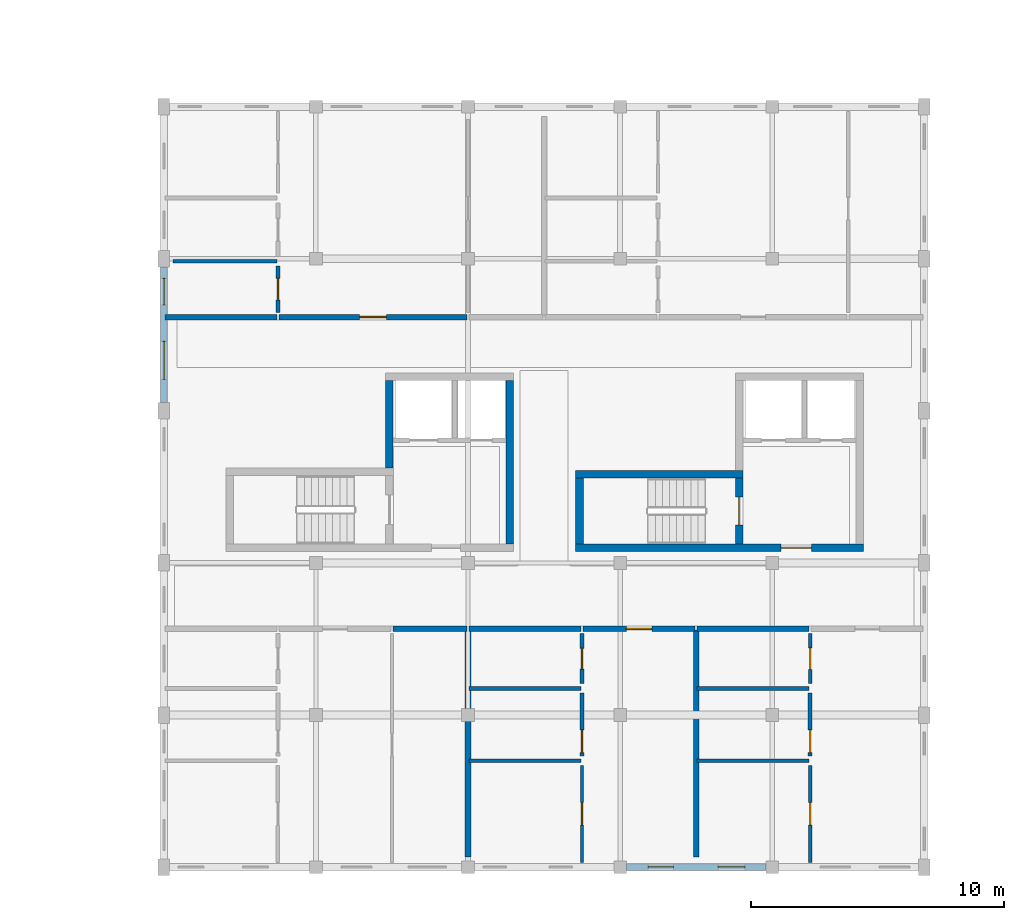
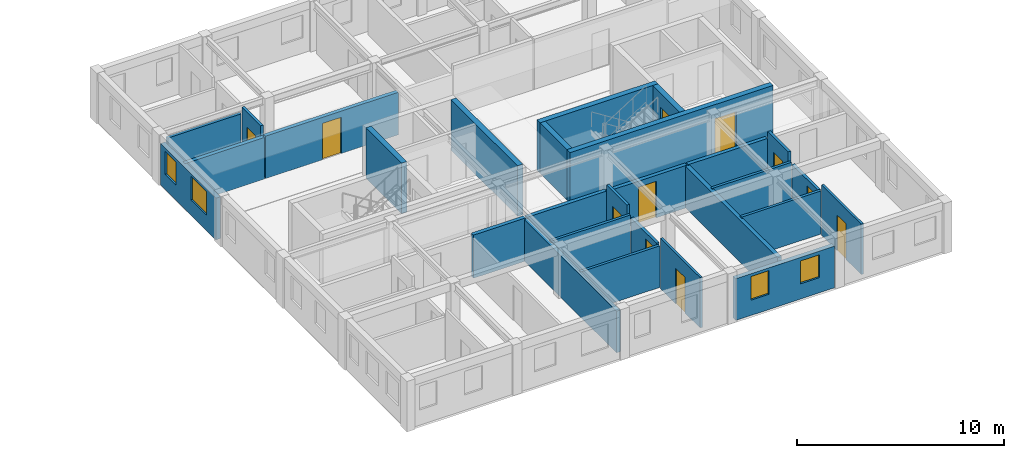
# One storey, part 10 of 23: 28 walls, 11 doors, 4 windows, 15 openings.
"""IFC4 building model written with IfcOpenShell, lengths in metres."""

from ifc_helpers import new_model, si_unit, direction, frame, frame_2d, origin, place, context, subcontext, project, spatial, rectangle, extrude, material, layer, layer_set, type_object, element, fill, save


model = new_model("IFC4")

# Units and contexts
model_context = context("Model", 3, precision=1e-05, world=origin(), true_north=direction((0.0, 1.0)))
body_context = subcontext(model_context, "Body", "Model", "MODEL_VIEW")
ifc_project = project(units=[si_unit("LENGTHUNIT", "METRE"), si_unit("AREAUNIT", "SQUARE_METRE"), si_unit("VOLUMEUNIT", "CUBIC_METRE"), si_unit("PLANEANGLEUNIT", "RADIAN"), si_unit("MASSUNIT", "GRAM", prefix="KILO"), si_unit("POWERUNIT", "WATT"), si_unit("THERMODYNAMICTEMPERATUREUNIT", "KELVIN")], contexts=[model_context])

# Site, building, storey
site_placement = place(None, origin())
site = spatial("IfcSite", under=ifc_project, at=site_placement, CompositionType="ELEMENT")
building_placement = place(site_placement, origin())
building = spatial("IfcBuilding", under=site, at=building_placement, Name="Ruvembo Vaulted Housing Court", CompositionType="ELEMENT")
storey_placement = place(building_placement, frame((0.0, 0.0, 26.89990234375)))
storey = spatial("IfcBuildingStorey", under=building, at=storey_placement, Name="L08", CompositionType="ELEMENT", Elevation=26.89990234375)

# Walls
ifc_material_1 = material(Name="Concrete C35/45", Category="concrete")
ifc_layer_1 = layer(ifc_material_1, 0.300048828125, Name="Concrete C35/45")
ifc_layer_set_1 = layer_set([ifc_layer_1], Name="Concrete C35/45")
wall_type_1 = type_object("IfcWallType", Name="WL-CORE-300", PredefinedType="SHEAR", material=ifc_layer_set_1)
wall_1_placement = place(storey_placement, frame((115.64990234375, 12.75, 0.0), z_axis=(0.0, 0.0, 1.0), x_axis=(0.0, 1.0, 0.0)))
element("IfcWall", 1, at=wall_1_placement, inside=storey, type_object=wall_type_1, Name="Core C1 L08 East Shear Wall", PredefinedType="SHEAR", context=body_context, shape_type="SweptSolid", body=[
    extrude(rectangle(XDim=6.449951171875, YDim=0.300048828125, at=frame_2d((3.22509765625, 0.0))), origin(), (0.0, 0.0, 1.0), 2.97998046875),
])
wall_2_placement = place(storey_placement, frame((110.89990234375, 15.75, 0.0), z_axis=(0.0, 0.0, 1.0), x_axis=(0.0, 1.0, 0.0)))
element("IfcWall", 2, at=wall_2_placement, inside=storey, type_object=wall_type_1, Name="Core C1 L08 Upper West Shear Wall", PredefinedType="SHEAR", context=body_context, shape_type="SweptSolid", body=[
    extrude(rectangle(XDim=3.449951171875, YDim=0.300048828125, at=frame_2d((1.72509765625, 0.0))), origin(), (0.0, 0.0, 1.0), 2.97998046875),
])

# Wall, opening, door
wall_3_placement = place(storey_placement, frame((118.25, 12.60009765625, 0.0), z_axis=(0.0, 0.0, 1.0), x_axis=(1.0, 0.0, 0.0)))
wall_3 = element("IfcWall", 3, at=wall_3_placement, inside=storey, type_object=wall_type_1, Name="Core C2 L08 South Shear Wall", PredefinedType="SHEAR", context=body_context, shape_type="SweptSolid", body=[
    extrude(rectangle(XDim=11.35009765625, YDim=0.300048828125, at=frame_2d((5.675048828125, 0.0))), origin(), (0.0, 0.0, 1.0), 2.97998046875),
])
opening_1_placement = place(wall_3_placement, frame((8.10009765625, 0.0, 0.0)))
opening_1 = element("IfcOpeningElement", 4, at=opening_1_placement, cuts=wall_3, Name="Opening LD3", PredefinedType="OPENING", context=body_context, shape_type="SweptSolid", body=[
    extrude(rectangle(XDim=1.199951171875, YDim=2.14990234375, at=frame_2d((0.60009765625, 1.074951171875))), frame((0.0, 0.159912109375, 0.0), z_axis=(0.0, -1.0, 0.0), x_axis=(1.0, 0.0, 0.0)), (0.0, 0.0, 1.0), 0.320068359375),
])
ifc_material_2 = material(Name="Galvanised Painted Steel", Category="steel")
door_type_1 = type_object("IfcDoorType", Name="DR-LOB-1200x2150", OperationType="NOTDEFINED", PredefinedType="DOOR", material=ifc_material_2)
door_1_placement = place(opening_1_placement, origin())
door_1 = element("IfcDoor", 5, at=door_1_placement, inside=storey, type_object=door_type_1, Name="Core C2 L08 Lobby Fire Door", OperationType="SINGLE_SWING_LEFT", OverallHeight=2.14990234375, OverallWidth=1.199951171875, PredefinedType="DOOR", context=body_context, shape_type="SweptSolid", body=[
    extrude(rectangle(XDim=1.199951171875, YDim=2.14990234375, at=frame_2d((0.60009765625, 1.074951171875))), frame((0.0, 0.02490234375, 0.0), z_axis=(0.0, -1.0, 0.0), x_axis=(1.0, 0.0, 0.0)), (0.0, 0.0, 1.0), 0.050048828125),
])
fill(opening_1, door_1)

# Walls
wall_4_placement = place(storey_placement, frame((124.85009765625, 15.5, 0.0), z_axis=(0.0, 0.0, 1.0), x_axis=(-1.0, 0.0, 0.0)))
element("IfcWall", 6, at=wall_4_placement, inside=storey, type_object=wall_type_1, Name="Core C2 L08 Stair North Shear Wall", PredefinedType="SHEAR", context=body_context, shape_type="SweptSolid", body=[
    extrude(rectangle(XDim=6.60009765625, YDim=0.300048828125, at=frame_2d((3.300048828125, 0.0))), origin(), (0.0, 0.0, 1.0), 2.97998046875),
])
wall_5_placement = place(storey_placement, frame((118.39990234375, 15.35009765625, 0.0), z_axis=(0.0, 0.0, 1.0), x_axis=(0.0, -1.0, 0.0)))
element("IfcWall", 7, at=wall_5_placement, inside=storey, type_object=wall_type_1, Name="Core C2 L08 Stair West Shear Wall", PredefinedType="SHEAR", context=body_context, shape_type="SweptSolid", body=[
    extrude(rectangle(XDim=2.60009765625, YDim=0.300048828125, at=frame_2d((1.300048828125, 0.0))), origin(), (0.0, 0.0, 1.0), 2.97998046875),
])

# Wall, opening, door
wall_6_placement = place(storey_placement, frame((124.699951171875, 12.75, 0.0), z_axis=(0.0, 0.0, 1.0), x_axis=(0.0, 1.0, 0.0)))
wall_6 = element("IfcWall", 8, at=wall_6_placement, inside=storey, type_object=wall_type_1, Name="Core C2 L08 Stair-Lobby Shear Wall", PredefinedType="SHEAR", context=body_context, shape_type="SweptSolid", body=[
    extrude(rectangle(XDim=2.60009765625, YDim=0.300048828125, at=frame_2d((1.300048828125, 0.0))), origin(), (0.0, 0.0, 1.0), 2.97998046875),
])
opening_2_placement = place(wall_6_placement, frame((0.75, 0.0, 0.0)))
opening_2 = element("IfcOpeningElement", 9, at=opening_2_placement, cuts=wall_6, Name="Opening SD2", PredefinedType="OPENING", context=body_context, shape_type="SweptSolid", body=[
    extrude(rectangle(XDim=1.10009765625, YDim=2.14990234375, at=frame_2d((0.550048828125, 1.074951171875))), frame((0.0, 0.159912109375, 0.0), z_axis=(0.0, -1.0, 0.0), x_axis=(1.0, 0.0, 0.0)), (0.0, 0.0, 1.0), 0.320068359375),
])
door_type_2 = type_object("IfcDoorType", Name="DR-STAIR-1100x2150", OperationType="NOTDEFINED", PredefinedType="DOOR", material=ifc_material_2)
door_2_placement = place(opening_2_placement, origin())
door_2 = element("IfcDoor", 10, at=door_2_placement, inside=storey, type_object=door_type_2, Name="Stair ST-C2 L08 Fire Door", OperationType="SINGLE_SWING_RIGHT", OverallHeight=2.14990234375, OverallWidth=1.10009765625, PredefinedType="DOOR", context=body_context, shape_type="SweptSolid", body=[
    extrude(rectangle(XDim=1.10009765625, YDim=2.14990234375, at=frame_2d((0.550048828125, 1.074951171875))), frame((0.0, 0.02490234375, 0.0), z_axis=(0.0, -1.0, 0.0), x_axis=(1.0, 0.0, 0.0)), (0.0, 0.0, 1.0), 0.050048828125),
])
fill(opening_2, door_2)

# Walls
ifc_material_3 = material(Name="Concrete Blockwork 210", Category="masonry")
ifc_layer_2 = layer(ifc_material_3, 0.2099609375, Name="Concrete Blockwork 210")
ifc_layer_set_2 = layer_set([ifc_layer_2], Name="Concrete Blockwork 210")
wall_type_2 = type_object("IfcWallType", Name="WL-CORR-210", PredefinedType="SOLIDWALL", material=ifc_layer_set_2)
wall_7_placement = place(storey_placement, frame((111.0400390625, 9.39990234375, 0.0), z_axis=(0.0, 0.0, 1.0), x_axis=(1.0, 0.0, 0.0)))
element("IfcWall", 11, at=wall_7_placement, inside=storey, type_object=wall_type_2, Name="L08 Flat C-L08-S1 Corridor Wall 2 WL-INT-L08-02096", PredefinedType="SOLIDWALL", context=body_context, shape_type="SweptSolid", body=[
    extrude(rectangle(XDim=2.919921875, YDim=0.2099609375, at=frame_2d((1.4599609375, 0.0))), origin(), (0.0, 0.0, 1.0), 2.548095703125),
])
wall_8_placement = place(storey_placement, frame((114.0400390625, 9.39990234375, 0.0), z_axis=(0.0, 0.0, 1.0), x_axis=(1.0, 0.0, 0.0)))
element("IfcWall", 12, at=wall_8_placement, inside=storey, type_object=wall_type_2, Name="L08 Flat C-L08-S2 Corridor Wall WL-INT-L08-02099", PredefinedType="SOLIDWALL", context=body_context, shape_type="SweptSolid", body=[
    extrude(rectangle(XDim=4.419921875, YDim=0.2099609375, at=frame_2d((2.2099609375, 0.0))), origin(), (0.0, 0.0, 1.0), 2.548095703125),
])

# Wall, opening, door
wall_9_placement = place(storey_placement, frame((118.5400390625, 9.39990234375, 0.0), z_axis=(0.0, 0.0, 1.0), x_axis=(1.0, 0.0, 0.0)))
wall_9 = element("IfcWall", 13, at=wall_9_placement, inside=storey, type_object=wall_type_2, Name="L08 Flat C-L08-S2 Entrance WL-INT-L08-02100", PredefinedType="SOLIDWALL", context=body_context, shape_type="SweptSolid", body=[
    extrude(rectangle(XDim=4.419921875, YDim=0.2099609375, at=frame_2d((2.2099609375, 0.0))), origin(), (0.0, 0.0, 1.0), 2.508056640625),
])
opening_3_placement = place(wall_9_placement, frame((1.7099609375, 0.0, 0.0)))
opening_3 = element("IfcOpeningElement", 14, at=opening_3_placement, cuts=wall_9, Name="Opening FD1", PredefinedType="OPENING", context=body_context, shape_type="SweptSolid", body=[
    extrude(rectangle(XDim=1.0, YDim=2.14990234375, at=frame_2d((0.5, 1.074951171875))), frame((0.0, 0.114990234375, 0.0), z_axis=(0.0, -1.0, 0.0), x_axis=(1.0, 0.0, 0.0)), (0.0, 0.0, 1.0), 0.22998046875),
])
ifc_material_4 = material(Name="FSC Hardwood and Engineered Timber", Category="wood")
door_type_3 = type_object("IfcDoorType", Name="DR-FLAT-1000x2150", OperationType="NOTDEFINED", PredefinedType="DOOR", material=ifc_material_4)
door_3_placement = place(opening_3_placement, origin())
door_3 = element("IfcDoor", 15, at=door_3_placement, inside=storey, type_object=door_type_3, Name="L08 Flat C-L08-S2 Entrance Door DR-INT-L08-01170", OperationType="SINGLE_SWING_RIGHT", OverallHeight=2.14990234375, OverallWidth=1.0, PredefinedType="DOOR", context=body_context, shape_type="SweptSolid", body=[
    extrude(rectangle(XDim=1.0, YDim=2.14990234375, at=frame_2d((0.5, 1.074951171875))), frame((0.0, 0.02490234375, 0.0), z_axis=(0.0, -1.0, 0.0), x_axis=(1.0, 0.0, 0.0)), (0.0, 0.0, 1.0), 0.050048828125),
])
fill(opening_3, door_3)

# Walls
wall_10_placement = place(storey_placement, frame((123.0400390625, 9.39990234375, 0.0), z_axis=(0.0, 0.0, 1.0), x_axis=(1.0, 0.0, 0.0)))
element("IfcWall", 16, at=wall_10_placement, inside=storey, type_object=wall_type_2, Name="L08 Flat C-L08-S3 Corridor Wall WL-INT-L08-02106", PredefinedType="SOLIDWALL", context=body_context, shape_type="SweptSolid", body=[
    extrude(rectangle(XDim=4.419921875, YDim=0.2099609375, at=frame_2d((2.2099609375, 0.0))), origin(), (0.0, 0.0, 1.0), 2.508056640625),
])
wall_11_placement = place(storey_placement, frame((102.0400390625, 21.699951171875, 0.0), z_axis=(0.0, 0.0, 1.0), x_axis=(1.0, 0.0, 0.0)))
element("IfcWall", 17, at=wall_11_placement, inside=storey, type_object=wall_type_2, Name="L08 Flat C-L08-N1 Corridor Wall WL-INT-L08-02114", PredefinedType="SOLIDWALL", context=body_context, shape_type="SweptSolid", body=[
    extrude(rectangle(XDim=4.419921875, YDim=0.2099609375, at=frame_2d((2.2099609375, 0.0))), origin(), (0.0, 0.0, 1.0), 2.462158203125),
])

# Wall, opening, door
wall_12_placement = place(storey_placement, frame((106.5400390625, 21.699951171875, 0.0), z_axis=(0.0, 0.0, 1.0), x_axis=(1.0, 0.0, 0.0)))
wall_12 = element("IfcWall", 18, at=wall_12_placement, inside=storey, type_object=wall_type_2, Name="L08 Flat C-L08-N1 Entrance WL-INT-L08-02115", PredefinedType="SOLIDWALL", context=body_context, shape_type="SweptSolid", body=[
    extrude(rectangle(XDim=7.419921875, YDim=0.2099609375, at=frame_2d((3.7099609375, 0.0))), origin(), (0.0, 0.0, 1.0), 2.508056640625),
])
opening_4_placement = place(wall_12_placement, frame((3.18505859375, 0.0, 0.0)))
opening_4 = element("IfcOpeningElement", 19, at=opening_4_placement, cuts=wall_12, Name="Opening FD3", PredefinedType="OPENING", context=body_context, shape_type="SweptSolid", body=[
    extrude(rectangle(XDim=1.050048828125, YDim=2.14990234375, at=frame_2d((0.52490234375, 1.074951171875))), frame((0.0, 0.114990234375, 0.0), z_axis=(0.0, -1.0, 0.0), x_axis=(1.0, 0.0, 0.0)), (0.0, 0.0, 1.0), 0.22998046875),
])
door_type_4 = type_object("IfcDoorType", Name="DR-FLAT-1050x2150", OperationType="NOTDEFINED", PredefinedType="DOOR", material=ifc_material_4)
door_4_placement = place(opening_4_placement, origin())
door_4 = element("IfcDoor", 20, at=door_4_placement, inside=storey, type_object=door_type_4, Name="L08 Flat C-L08-N1 Entrance Door DR-INT-L08-01178", OperationType="SINGLE_SWING_RIGHT", OverallHeight=2.14990234375, OverallWidth=1.050048828125, PredefinedType="DOOR", context=body_context, shape_type="SweptSolid", body=[
    extrude(rectangle(XDim=1.050048828125, YDim=2.14990234375, at=frame_2d((0.52490234375, 1.074951171875))), frame((0.0, 0.02490234375, 0.0), z_axis=(0.0, -1.0, 0.0), x_axis=(1.0, 0.0, 0.0)), (0.0, 0.0, 1.0), 0.050048828125),
])
fill(opening_4, door_4)

# Walls
ifc_material_5 = material(Name="Acoustic Masonry Demising 220", Category="masonry")
ifc_layer_3 = layer(ifc_material_5, 0.219970703125, Name="Acoustic Masonry Demising 220")
ifc_layer_set_3 = layer_set([ifc_layer_3], Name="Acoustic Masonry Demising 220")
wall_type_3 = type_object("IfcWallType", Name="WL-DEM-200", PredefinedType="SOLIDWALL", material=ifc_layer_set_3)
wall_13_placement = place(storey_placement, frame((114.0, 0.389892578125, 0.0), z_axis=(0.0, 0.0, 1.0), x_axis=(0.0, 1.0, 0.0)))
element("IfcWall", 21, at=wall_13_placement, inside=storey, type_object=wall_type_3, Name="L08 Demising C-L08-S1 WL-INT-L08-02088", PredefinedType="SOLIDWALL", context=body_context, shape_type="SweptSolid", body=[
    extrude(rectangle(XDim=8.97021484375, YDim=0.219970703125, at=frame_2d((4.485107421875, 0.0))), origin(), (0.0, 0.0, 1.0), 2.4580078125),
])
wall_14_placement = place(storey_placement, frame((123.0, 0.389892578125, 0.0), z_axis=(0.0, 0.0, 1.0), x_axis=(0.0, 1.0, 0.0)))
element("IfcWall", 22, at=wall_14_placement, inside=storey, type_object=wall_type_3, Name="L08 Demising C-L08-S2 WL-INT-L08-02098", PredefinedType="SOLIDWALL", context=body_context, shape_type="SweptSolid", body=[
    extrude(rectangle(XDim=8.97021484375, YDim=0.219970703125, at=frame_2d((4.485107421875, 0.0))), origin(), (0.0, 0.0, 1.0), 2.462158203125),
])

# Wall, openings, windows
ifc_material_6 = material(Name="Rendered Masonry 260", Category="masonry")
ifc_layer_4 = layer(ifc_material_6, 0.260009765625, Name="Rendered Masonry 260")
ifc_layer_set_4 = layer_set([ifc_layer_4], Name="Rendered Masonry 260")
wall_type_4 = type_object("IfcWallType", Name="WL-EXT-260", PredefinedType="STANDARD", material=ifc_layer_set_4)
wall_15_placement = place(storey_placement, frame((120.25, 0.0, 0.0), z_axis=(0.0, 0.0, 1.0), x_axis=(1.0, 0.0, 0.0)))
wall_15 = element("IfcWall", 23, at=wall_15_placement, inside=storey, type_object=wall_type_4, Name="Block C L08 Exterior Wall STREET #4", PredefinedType="STANDARD", context=body_context, shape_type="SweptSolid", body=[
    extrude(rectangle(XDim=5.5, YDim=0.260009765625, at=frame_2d((2.75, 0.0))), origin(), (0.0, 0.0, 1.0), 2.462158203125),
])
opening_5_placement = place(wall_15_placement, frame((0.85498046875, 0.0, 0.89990234375)))
opening_5 = element("IfcOpeningElement", 24, at=opening_5_placement, cuts=wall_15, Name="Opening W08", PredefinedType="OPENING", context=body_context, shape_type="SweptSolid", body=[
    extrude(rectangle(XDim=1.0, YDim=1.39990234375, at=frame_2d((0.5, 0.699951171875))), frame((0.0, 0.139892578125, 0.0), z_axis=(0.0, -1.0, 0.0), x_axis=(1.0, 0.0, 0.0)), (0.0, 0.0, 1.0), 0.280029296875),
])
opening_6_placement = place(wall_15_placement, frame((3.6201171875, 0.0, 0.89990234375)))
opening_6 = element("IfcOpeningElement", 25, at=opening_6_placement, cuts=wall_15, Name="Opening W09", PredefinedType="OPENING", context=body_context, shape_type="SweptSolid", body=[
    extrude(rectangle(XDim=1.050048828125, YDim=1.35009765625, at=frame_2d((0.52490234375, 0.675048828125))), frame((0.0, 0.139892578125, 0.0), z_axis=(0.0, -1.0, 0.0), x_axis=(1.0, 0.0, 0.0)), (0.0, 0.0, 1.0), 0.280029296875),
])
ifc_material_7 = material(Name="Double Solar-Control Glazing in Aluminium Frame", Category="aluminium")
window_type_1 = type_object("IfcWindowType", Name="WIN-1000x1400", PartitioningType="SINGLE_PANEL", PredefinedType="WINDOW", material=ifc_material_7)
window_1_placement = place(opening_5_placement, origin())
window_1 = element("IfcWindow", 26, at=window_1_placement, inside=storey, type_object=window_type_1, Name="Block C L08 Window #1412", OverallHeight=1.39990234375, OverallWidth=1.0, PartitioningType="SINGLE_PANEL", PredefinedType="WINDOW", context=body_context, shape_type="SweptSolid", body=[
    extrude(rectangle(XDim=1.0, YDim=1.39990234375, at=frame_2d((0.5, 0.699951171875))), frame((0.0, 0.030029296875, 0.0), z_axis=(0.0, -1.0, 0.0), x_axis=(1.0, 0.0, 0.0)), (0.0, 0.0, 1.0), 0.06005859375),
])
fill(opening_5, window_1)
window_type_2 = type_object("IfcWindowType", Name="WIN-1050x1350", PartitioningType="SINGLE_PANEL", PredefinedType="WINDOW", material=ifc_material_7)
window_2_placement = place(opening_6_placement, origin())
window_2 = element("IfcWindow", 27, at=window_2_placement, inside=storey, type_object=window_type_2, Name="Block C L08 Window #1413", OverallHeight=1.35009765625, OverallWidth=1.050048828125, PartitioningType="SINGLE_PANEL", PredefinedType="WINDOW", context=body_context, shape_type="SweptSolid", body=[
    extrude(rectangle(XDim=1.050048828125, YDim=1.35009765625, at=frame_2d((0.52490234375, 0.675048828125))), frame((0.0, 0.030029296875, 0.0), z_axis=(0.0, -1.0, 0.0), x_axis=(1.0, 0.0, 0.0)), (0.0, 0.0, 1.0), 0.06005859375),
])
fill(opening_6, window_2)

wall_16_placement = place(storey_placement, frame((102.0, 23.675048828125, 0.0), z_axis=(0.0, 0.0, 1.0), x_axis=(0.0, -1.0, 0.0)))
wall_16 = element("IfcWall", 28, at=wall_16_placement, inside=storey, type_object=wall_type_4, Name="Block C L08 Exterior Wall WEST #2", PredefinedType="STANDARD", context=body_context, shape_type="SweptSolid", body=[
    extrude(rectangle(XDim=5.35009765625, YDim=0.260009765625, at=frame_2d((2.675048828125, 0.0))), origin(), (0.0, 0.0, 1.0), 2.462158203125),
])
opening_7_placement = place(wall_16_placement, frame((0.4423828125, 0.0, 0.89990234375)))
opening_7 = element("IfcOpeningElement", 29, at=opening_7_placement, cuts=wall_16, Name="Opening W09", PredefinedType="OPENING", context=body_context, shape_type="SweptSolid", body=[
    extrude(rectangle(XDim=1.050048828125, YDim=1.35009765625, at=frame_2d((0.52490234375, 0.675048828125))), frame((0.0, 0.139892578125, 0.0), z_axis=(0.0, -1.0, 0.0), x_axis=(1.0, 0.0, 0.0)), (0.0, 0.0, 1.0), 0.280029296875),
])
opening_8_placement = place(wall_16_placement, frame((2.9326171875, 0.0, 0.89990234375)))
opening_8 = element("IfcOpeningElement", 30, at=opening_8_placement, cuts=wall_16, Name="Opening W18", PredefinedType="OPENING", context=body_context, shape_type="SweptSolid", body=[
    extrude(rectangle(XDim=1.5, YDim=1.39990234375, at=frame_2d((0.75, 0.699951171875))), frame((0.0, 0.139892578125, 0.0), z_axis=(0.0, -1.0, 0.0), x_axis=(1.0, 0.0, 0.0)), (0.0, 0.0, 1.0), 0.280029296875),
])
window_3_placement = place(opening_7_placement, origin())
window_3 = element("IfcWindow", 31, at=window_3_placement, inside=storey, type_object=window_type_2, Name="Block C L08 Window #1438", OverallHeight=1.35009765625, OverallWidth=1.050048828125, PartitioningType="SINGLE_PANEL", PredefinedType="WINDOW", context=body_context, shape_type="SweptSolid", body=[
    extrude(rectangle(XDim=1.050048828125, YDim=1.35009765625, at=frame_2d((0.52490234375, 0.675048828125))), frame((0.0, 0.030029296875, 0.0), z_axis=(0.0, -1.0, 0.0), x_axis=(1.0, 0.0, 0.0)), (0.0, 0.0, 1.0), 0.06005859375),
])
fill(opening_7, window_3)
window_type_3 = type_object("IfcWindowType", Name="WIN-1500x1400", PartitioningType="SINGLE_PANEL", PredefinedType="WINDOW", material=ifc_material_7)
window_4_placement = place(opening_8_placement, origin())
window_4 = element("IfcWindow", 32, at=window_4_placement, inside=storey, type_object=window_type_3, Name="Block C L08 Window #1439", OverallHeight=1.39990234375, OverallWidth=1.5, PartitioningType="SINGLE_PANEL", PredefinedType="WINDOW", context=body_context, shape_type="SweptSolid", body=[
    extrude(rectangle(XDim=1.5, YDim=1.39990234375, at=frame_2d((0.75, 0.699951171875))), frame((0.0, 0.030029296875, 0.0), z_axis=(0.0, -1.0, 0.0), x_axis=(1.0, 0.0, 0.0)), (0.0, 0.0, 1.0), 0.06005859375),
])
fill(opening_8, window_4)

# Wall, opening, door
ifc_material_8 = material(Name="Plasterboard Stud Partition 125", Category="gypsum")
ifc_layer_5 = layer(ifc_material_8, 0.125, Name="Plasterboard Stud Partition 125")
ifc_layer_set_5 = layer_set([ifc_layer_5], Name="Plasterboard Stud Partition 125")
wall_type_5 = type_object("IfcWallType", Name="WL-PART-125", PredefinedType="PARTITIONING", material=ifc_layer_set_5)
wall_17_placement = place(storey_placement, frame((118.5, 0.18994140625, 0.0), z_axis=(0.0, 0.0, 1.0), x_axis=(0.0, 1.0, 0.0)))
wall_17 = element("IfcWall", 33, at=wall_17_placement, inside=storey, type_object=wall_type_5, Name="L08 Flat C-L08-S2 Bedroom 1 WL-INT-L08-02101", PredefinedType="PARTITIONING", context=body_context, shape_type="SweptSolid", body=[
    extrude(rectangle(XDim=3.820068359375, YDim=0.125, at=frame_2d((1.91015625, 0.0))), origin(), (0.0, 0.0, 1.0), 2.97998046875),
])
opening_9_placement = place(wall_17_placement, frame((1.469970703125, 0.0, 0.0)))
opening_9 = element("IfcOpeningElement", 34, at=opening_9_placement, cuts=wall_17, Name="Opening ID3", PredefinedType="OPENING", context=body_context, shape_type="SweptSolid", body=[
    extrude(rectangle(XDim=0.8798828125, YDim=2.10009765625, at=frame_2d((0.43994140625, 1.050048828125))), frame((0.0, 0.072509765625, 0.0), z_axis=(0.0, -1.0, 0.0), x_axis=(1.0, 0.0, 0.0)), (0.0, 0.0, 1.0), 0.14501953125),
])
door_type_5 = type_object("IfcDoorType", Name="DR-ROOM-0880x2100", OperationType="NOTDEFINED", PredefinedType="DOOR", material=ifc_material_4)
door_5_placement = place(opening_9_placement, origin())
door_5 = element("IfcDoor", 35, at=door_5_placement, inside=storey, type_object=door_type_5, Name="L08 Flat C-L08-S2 Bedroom 1 Door DR-INT-L08-01171", OperationType="SINGLE_SWING_LEFT", OverallHeight=2.10009765625, OverallWidth=0.8798828125, PredefinedType="DOOR", context=body_context, shape_type="SweptSolid", body=[
    extrude(rectangle(XDim=0.8798828125, YDim=2.10009765625, at=frame_2d((0.43994140625, 1.050048828125))), frame((0.0, 0.02490234375, 0.0), z_axis=(0.0, -1.0, 0.0), x_axis=(1.0, 0.0, 0.0)), (0.0, 0.0, 1.0), 0.050048828125),
])
fill(opening_9, door_5)

wall_18_placement = place(storey_placement, frame((127.5, 0.18994140625, 0.0), z_axis=(0.0, 0.0, 1.0), x_axis=(0.0, 1.0, 0.0)))
wall_18 = element("IfcWall", 36, at=wall_18_placement, inside=storey, type_object=wall_type_5, Name="L08 Flat C-L08-S3 Bedroom 1 WL-INT-L08-02108", PredefinedType="PARTITIONING", context=body_context, shape_type="SweptSolid", body=[
    extrude(rectangle(XDim=3.820068359375, YDim=0.125, at=frame_2d((1.91015625, 0.0))), origin(), (0.0, 0.0, 1.0), 2.97998046875),
])
opening_10_placement = place(wall_18_placement, frame((1.469970703125, 0.0, 0.0)))
opening_10 = element("IfcOpeningElement", 37, at=opening_10_placement, cuts=wall_18, Name="Opening ID3", PredefinedType="OPENING", context=body_context, shape_type="SweptSolid", body=[
    extrude(rectangle(XDim=0.8798828125, YDim=2.10009765625, at=frame_2d((0.43994140625, 1.050048828125))), frame((0.0, 0.072509765625, 0.0), z_axis=(0.0, -1.0, 0.0), x_axis=(1.0, 0.0, 0.0)), (0.0, 0.0, 1.0), 0.14501953125),
])
door_6_placement = place(opening_10_placement, origin())
door_6 = element("IfcDoor", 38, at=door_6_placement, inside=storey, type_object=door_type_5, Name="L08 Flat C-L08-S3 Bedroom 1 Door DR-INT-L08-01175", OperationType="SINGLE_SWING_LEFT", OverallHeight=2.10009765625, OverallWidth=0.8798828125, PredefinedType="DOOR", context=body_context, shape_type="SweptSolid", body=[
    extrude(rectangle(XDim=0.8798828125, YDim=2.10009765625, at=frame_2d((0.43994140625, 1.050048828125))), frame((0.0, 0.02490234375, 0.0), z_axis=(0.0, -1.0, 0.0), x_axis=(1.0, 0.0, 0.0)), (0.0, 0.0, 1.0), 0.050048828125),
])
fill(opening_10, door_6)

ifc_material_9 = material(Name="Moisture-Resistant Wet Partition 150", Category="gypsum")
ifc_layer_6 = layer(ifc_material_9, 0.14990234375, Name="Moisture-Resistant Wet Partition 150")
ifc_layer_set_6 = layer_set([ifc_layer_6], Name="Moisture-Resistant Wet Partition 150")
wall_type_6 = type_object("IfcWallType", Name="WL-PART-150", PredefinedType="PARTITIONING", material=ifc_layer_set_6)
wall_19_placement = place(storey_placement, frame((118.5, 7.239990234375, 0.0), z_axis=(0.0, 0.0, 1.0), x_axis=(0.0, 1.0, 0.0)))
wall_19 = element("IfcWall", 39, at=wall_19_placement, inside=storey, type_object=wall_type_6, Name="L08 Flat C-L08-S2 Bathroom WL-INT-L08-02103", PredefinedType="PARTITIONING", context=body_context, shape_type="SweptSolid", body=[
    extrude(rectangle(XDim=1.969970703125, YDim=0.14990234375, at=frame_2d((0.98486328125, 0.0))), origin(), (0.0, 0.0, 1.0), 2.97998046875),
])
opening_11_placement = place(wall_19_placement, frame((0.574951171875, 0.0, 0.0)))
opening_11 = element("IfcOpeningElement", 40, at=opening_11_placement, cuts=wall_19, Name="Opening ID4", PredefinedType="OPENING", context=body_context, shape_type="SweptSolid", body=[
    extrude(rectangle(XDim=0.820068359375, YDim=2.080078125, at=frame_2d((0.41015625, 1.0400390625))), frame((0.0, 0.0849609375, 0.0), z_axis=(0.0, -1.0, 0.0), x_axis=(1.0, 0.0, 0.0)), (0.0, 0.0, 1.0), 0.169921875),
])
door_type_6 = type_object("IfcDoorType", Name="DR-WET-0820x2080", OperationType="NOTDEFINED", PredefinedType="DOOR", material=ifc_material_4)
door_7_placement = place(opening_11_placement, origin())
door_7 = element("IfcDoor", 41, at=door_7_placement, inside=storey, type_object=door_type_6, Name="L08 Flat C-L08-S2 Bathroom Door DR-INT-L08-01173", OperationType="SINGLE_SWING_LEFT", OverallHeight=2.080078125, OverallWidth=0.820068359375, PredefinedType="DOOR", context=body_context, shape_type="SweptSolid", body=[
    extrude(rectangle(XDim=0.820068359375, YDim=2.080078125, at=frame_2d((0.41015625, 1.0400390625))), frame((0.0, 0.02490234375, 0.0), z_axis=(0.0, -1.0, 0.0), x_axis=(1.0, 0.0, 0.0)), (0.0, 0.0, 1.0), 0.050048828125),
])
fill(opening_11, door_7)

# Walls
wall_20_placement = place(storey_placement, frame((114.0400390625, 4.199951171875, 0.0), z_axis=(0.0, 0.0, 1.0), x_axis=(1.0, 0.0, 0.0)))
element("IfcWall", 42, at=wall_20_placement, inside=storey, type_object=wall_type_6, Name="L08 Flat C-L08-S2 Wet Wall 1 WL-INT-L08-02104", PredefinedType="PARTITIONING", context=body_context, shape_type="SweptSolid", body=[
    extrude(rectangle(XDim=4.419921875, YDim=0.14990234375, at=frame_2d((2.2099609375, 0.0))), origin(), (0.0, 0.0, 1.0), 2.4580078125),
])
wall_21_placement = place(storey_placement, frame((114.0400390625, 7.050048828125, 0.0), z_axis=(0.0, 0.0, 1.0), x_axis=(1.0, 0.0, 0.0)))
element("IfcWall", 43, at=wall_21_placement, inside=storey, type_object=wall_type_6, Name="L08 Flat C-L08-S2 Wet Wall 2 WL-INT-L08-02105", PredefinedType="PARTITIONING", context=body_context, shape_type="SweptSolid", body=[
    extrude(rectangle(XDim=4.419921875, YDim=0.14990234375, at=frame_2d((2.2099609375, 0.0))), origin(), (0.0, 0.0, 1.0), 2.548095703125),
])

# Wall, opening, door
wall_22_placement = place(storey_placement, frame((127.5, 7.239990234375, 0.0), z_axis=(0.0, 0.0, 1.0), x_axis=(0.0, 1.0, 0.0)))
wall_22 = element("IfcWall", 44, at=wall_22_placement, inside=storey, type_object=wall_type_6, Name="L08 Flat C-L08-S3 Bathroom WL-INT-L08-02110", PredefinedType="PARTITIONING", context=body_context, shape_type="SweptSolid", body=[
    extrude(rectangle(XDim=1.969970703125, YDim=0.14990234375, at=frame_2d((0.98486328125, 0.0))), origin(), (0.0, 0.0, 1.0), 2.97998046875),
])
opening_12_placement = place(wall_22_placement, frame((0.56005859375, 0.0, 0.0)))
opening_12 = element("IfcOpeningElement", 45, at=opening_12_placement, cuts=wall_22, Name="Opening ID2", PredefinedType="OPENING", context=body_context, shape_type="SweptSolid", body=[
    extrude(rectangle(XDim=0.85009765625, YDim=2.10009765625, at=frame_2d((0.425048828125, 1.050048828125))), frame((0.0, 0.0849609375, 0.0), z_axis=(0.0, -1.0, 0.0), x_axis=(1.0, 0.0, 0.0)), (0.0, 0.0, 1.0), 0.169921875),
])
door_type_7 = type_object("IfcDoorType", Name="DR-WET-0850x2100", OperationType="NOTDEFINED", PredefinedType="DOOR", material=ifc_material_4)
door_8_placement = place(opening_12_placement, origin())
door_8 = element("IfcDoor", 46, at=door_8_placement, inside=storey, type_object=door_type_7, Name="L08 Flat C-L08-S3 Bathroom Door DR-INT-L08-01177", OperationType="SINGLE_SWING_LEFT", OverallHeight=2.10009765625, OverallWidth=0.85009765625, PredefinedType="DOOR", context=body_context, shape_type="SweptSolid", body=[
    extrude(rectangle(XDim=0.85009765625, YDim=2.10009765625, at=frame_2d((0.425048828125, 1.050048828125))), frame((0.0, 0.02490234375, 0.0), z_axis=(0.0, -1.0, 0.0), x_axis=(1.0, 0.0, 0.0)), (0.0, 0.0, 1.0), 0.050048828125),
])
fill(opening_12, door_8)

# Walls
wall_23_placement = place(storey_placement, frame((123.0400390625, 4.199951171875, 0.0), z_axis=(0.0, 0.0, 1.0), x_axis=(1.0, 0.0, 0.0)))
element("IfcWall", 47, at=wall_23_placement, inside=storey, type_object=wall_type_6, Name="L08 Flat C-L08-S3 Wet Wall 1 WL-INT-L08-02111", PredefinedType="PARTITIONING", context=body_context, shape_type="SweptSolid", body=[
    extrude(rectangle(XDim=4.419921875, YDim=0.14990234375, at=frame_2d((2.2099609375, 0.0))), origin(), (0.0, 0.0, 1.0), 2.548095703125),
])
wall_24_placement = place(storey_placement, frame((123.0400390625, 7.050048828125, 0.0), z_axis=(0.0, 0.0, 1.0), x_axis=(1.0, 0.0, 0.0)))
element("IfcWall", 48, at=wall_24_placement, inside=storey, type_object=wall_type_6, Name="L08 Flat C-L08-S3 Wet Wall 2 WL-INT-L08-02112", PredefinedType="PARTITIONING", context=body_context, shape_type="SweptSolid", body=[
    extrude(rectangle(XDim=4.419921875, YDim=0.14990234375, at=frame_2d((2.2099609375, 0.0))), origin(), (0.0, 0.0, 1.0), 2.508056640625),
])

# Wall, opening, door
wall_25_placement = place(storey_placement, frame((106.5, 21.889892578125, 0.0), z_axis=(0.0, 0.0, 1.0), x_axis=(0.0, 1.0, 0.0)))
wall_25 = element("IfcWall", 49, at=wall_25_placement, inside=storey, type_object=wall_type_6, Name="L08 Flat C-L08-N1 Bathroom WL-INT-L08-02118", PredefinedType="PARTITIONING", context=body_context, shape_type="SweptSolid", body=[
    extrude(rectangle(XDim=1.820068359375, YDim=0.14990234375, at=frame_2d((0.91015625, 0.0))), origin(), (0.0, 0.0, 1.0), 2.97998046875),
])
opening_13_placement = place(wall_25_placement, frame((0.485107421875, 0.0, 0.0)))
opening_13 = element("IfcOpeningElement", 50, at=opening_13_placement, cuts=wall_25, Name="Opening ID2", PredefinedType="OPENING", context=body_context, shape_type="SweptSolid", body=[
    extrude(rectangle(XDim=0.85009765625, YDim=2.10009765625, at=frame_2d((0.425048828125, 1.050048828125))), frame((0.0, 0.0849609375, 0.0), z_axis=(0.0, -1.0, 0.0), x_axis=(1.0, 0.0, 0.0)), (0.0, 0.0, 1.0), 0.169921875),
])
door_9_placement = place(opening_13_placement, origin())
door_9 = element("IfcDoor", 51, at=door_9_placement, inside=storey, type_object=door_type_7, Name="L08 Flat C-L08-N1 Bathroom Door DR-INT-L08-01181", OperationType="SINGLE_SWING_LEFT", OverallHeight=2.10009765625, OverallWidth=0.85009765625, PredefinedType="DOOR", context=body_context, shape_type="SweptSolid", body=[
    extrude(rectangle(XDim=0.85009765625, YDim=2.10009765625, at=frame_2d((0.425048828125, 1.050048828125))), frame((0.0, 0.02490234375, 0.0), z_axis=(0.0, -1.0, 0.0), x_axis=(1.0, 0.0, 0.0)), (0.0, 0.0, 1.0), 0.050048828125),
])
fill(opening_13, door_9)

# Wall
wall_26_placement = place(storey_placement, frame((102.360107421875, 23.89990234375, 0.0), z_axis=(0.0, 0.0, 1.0), x_axis=(1.0, 0.0, 0.0)))
element("IfcWall", 52, at=wall_26_placement, inside=storey, type_object=wall_type_6, Name="L08 Flat C-L08-N1 Wet Wall 2 WL-INT-L08-02120", PredefinedType="PARTITIONING", context=body_context, shape_type="SweptSolid", body=[
    extrude(rectangle(XDim=4.099853515625, YDim=0.14990234375, at=frame_2d((2.0498046875, 0.0))), origin(), (0.0, 0.0, 1.0), 2.508056640625),
])

# Wall, opening, door
ifc_material_10 = material(Name="Acoustic Service Chase Wall 160", Category="gypsum")
ifc_layer_7 = layer(ifc_material_10, 0.159912109375, Name="Acoustic Service Chase Wall 160")
ifc_layer_set_7 = layer_set([ifc_layer_7], Name="Acoustic Service Chase Wall 160")
wall_type_7 = type_object("IfcWallType", Name="WL-PLUMB-160", PredefinedType="PLUMBINGWALL", material=ifc_layer_set_7)
wall_27_placement = place(storey_placement, frame((118.5, 4.389892578125, 0.0), z_axis=(0.0, 0.0, 1.0), x_axis=(0.0, 1.0, 0.0)))
wall_27 = element("IfcWall", 53, at=wall_27_placement, inside=storey, type_object=wall_type_7, Name="L08 Flat C-L08-S2 Kitchen WL-INT-L08-02102", PredefinedType="PLUMBINGWALL", context=body_context, shape_type="SweptSolid", body=[
    extrude(rectangle(XDim=2.47021484375, YDim=0.159912109375, at=frame_2d((1.235107421875, 0.0))), origin(), (0.0, 0.0, 1.0), 2.462158203125),
])
opening_14_placement = place(wall_27_placement, frame((0.1298828125, 0.0, 0.0)))
opening_14 = element("IfcOpeningElement", 54, at=opening_14_placement, cuts=wall_27, Name="Opening ID1", PredefinedType="OPENING", context=body_context, shape_type="SweptSolid", body=[
    extrude(rectangle(XDim=0.89990234375, YDim=2.10009765625, at=frame_2d((0.449951171875, 1.050048828125))), frame((0.0, 0.08984375, 0.0), z_axis=(0.0, -1.0, 0.0), x_axis=(1.0, 0.0, 0.0)), (0.0, 0.0, 1.0), 0.179931640625),
])
door_type_8 = type_object("IfcDoorType", Name="DR-ROOM-0900x2100", OperationType="NOTDEFINED", PredefinedType="DOOR", material=ifc_material_4)
door_10_placement = place(opening_14_placement, origin())
door_10 = element("IfcDoor", 55, at=door_10_placement, inside=storey, type_object=door_type_8, Name="L08 Flat C-L08-S2 Kitchen Door DR-INT-L08-01172", OperationType="SINGLE_SWING_RIGHT", OverallHeight=2.10009765625, OverallWidth=0.89990234375, PredefinedType="DOOR", context=body_context, shape_type="SweptSolid", body=[
    extrude(rectangle(XDim=0.89990234375, YDim=2.10009765625, at=frame_2d((0.449951171875, 1.050048828125))), frame((0.0, 0.02490234375, 0.0), z_axis=(0.0, -1.0, 0.0), x_axis=(1.0, 0.0, 0.0)), (0.0, 0.0, 1.0), 0.050048828125),
])
fill(opening_14, door_10)

wall_28_placement = place(storey_placement, frame((127.5, 4.389892578125, 0.0), z_axis=(0.0, 0.0, 1.0), x_axis=(0.0, 1.0, 0.0)))
wall_28 = element("IfcWall", 56, at=wall_28_placement, inside=storey, type_object=wall_type_7, Name="L08 Flat C-L08-S3 Kitchen WL-INT-L08-02109", PredefinedType="PLUMBINGWALL", context=body_context, shape_type="SweptSolid", body=[
    extrude(rectangle(XDim=2.47021484375, YDim=0.159912109375, at=frame_2d((1.235107421875, 0.0))), origin(), (0.0, 0.0, 1.0), 2.462158203125),
])
opening_15_placement = place(wall_28_placement, frame((0.1298828125, 0.0, 0.0)))
opening_15 = element("IfcOpeningElement", 57, at=opening_15_placement, cuts=wall_28, Name="Opening ID1", PredefinedType="OPENING", context=body_context, shape_type="SweptSolid", body=[
    extrude(rectangle(XDim=0.89990234375, YDim=2.10009765625, at=frame_2d((0.449951171875, 1.050048828125))), frame((0.0, 0.08984375, 0.0), z_axis=(0.0, -1.0, 0.0), x_axis=(1.0, 0.0, 0.0)), (0.0, 0.0, 1.0), 0.179931640625),
])
door_11_placement = place(opening_15_placement, origin())
door_11 = element("IfcDoor", 58, at=door_11_placement, inside=storey, type_object=door_type_8, Name="L08 Flat C-L08-S3 Kitchen Door DR-INT-L08-01176", OperationType="SINGLE_SWING_RIGHT", OverallHeight=2.10009765625, OverallWidth=0.89990234375, PredefinedType="DOOR", context=body_context, shape_type="SweptSolid", body=[
    extrude(rectangle(XDim=0.89990234375, YDim=2.10009765625, at=frame_2d((0.449951171875, 1.050048828125))), frame((0.0, 0.02490234375, 0.0), z_axis=(0.0, -1.0, 0.0), x_axis=(1.0, 0.0, 0.0)), (0.0, 0.0, 1.0), 0.050048828125),
])
fill(opening_15, door_11)

save(model, "model.ifc")
